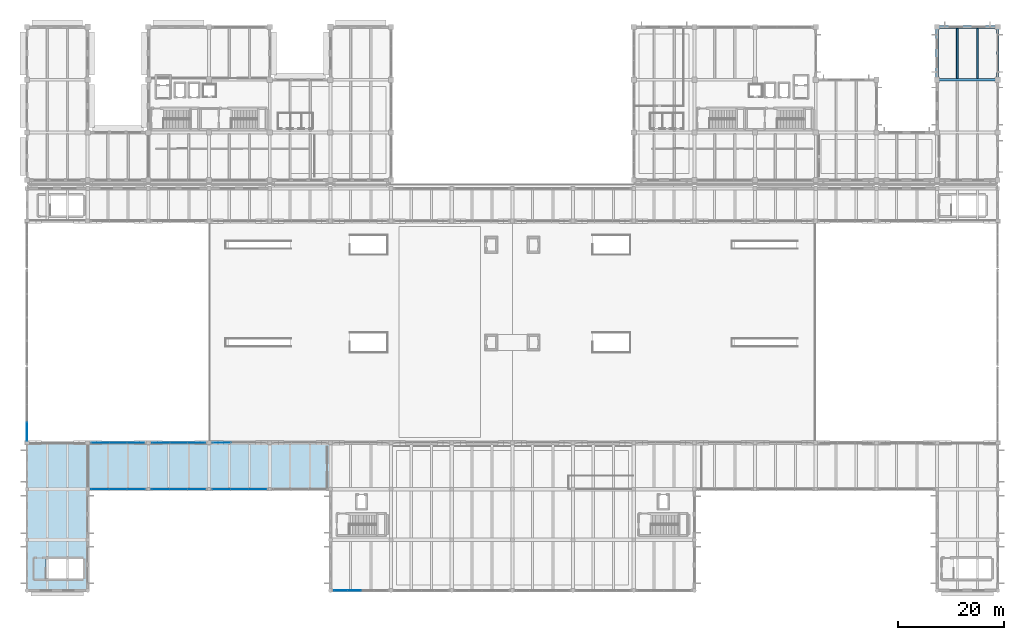
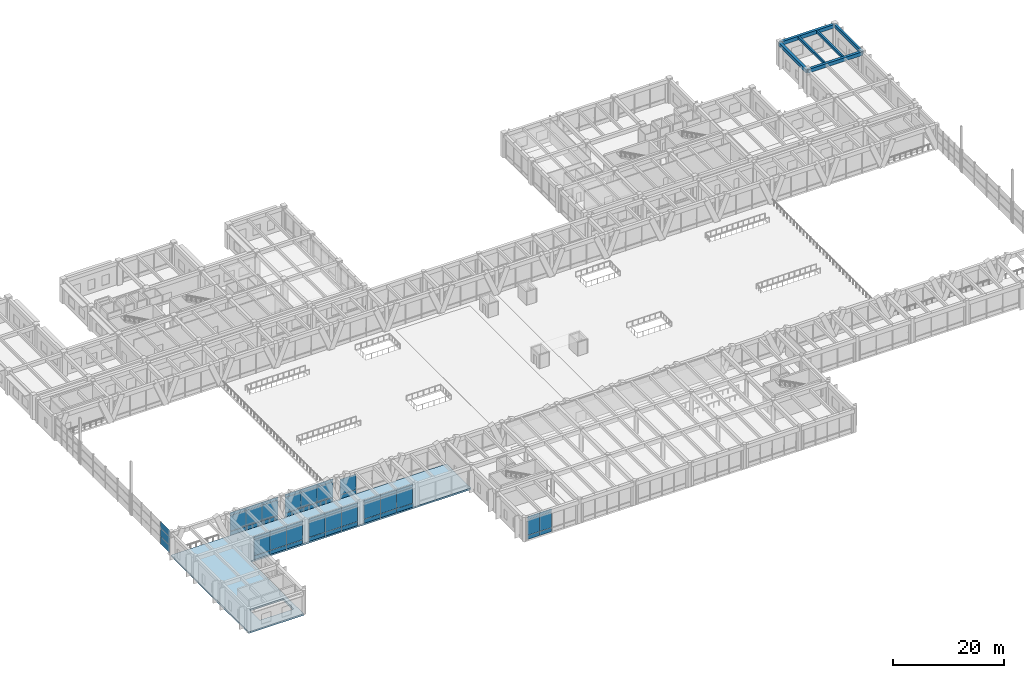
# One storey, part 113 of 148: 56 plates, 6 beams, 1 slab, 8 elements without a shape of their own.
"""IFC4 building model written with IfcOpenShell, lengths in metres."""

from ifc_helpers import new_model, si_unit, direction, frame, origin, origin_2d, place, context, subcontext, project, spatial, polyline, rectangle, outline, extrude, material, layer, layer_set, material_profile, profile_set, type_object, element, aggregate, save


model = new_model("IFC4")

# Units and contexts
model_context = context("Model", 3, precision=1e-05, world=origin(), true_north=direction((0.0, 1.0)))
body_context = subcontext(model_context, "Body", "Model", "MODEL_VIEW")
ifc_project = project(units=[si_unit("LENGTHUNIT", "METRE"), si_unit("AREAUNIT", "SQUARE_METRE"), si_unit("VOLUMEUNIT", "CUBIC_METRE"), si_unit("PLANEANGLEUNIT", "RADIAN"), si_unit("MASSUNIT", "GRAM", prefix="KILO")], contexts=[model_context])

# Site, building, storey
site_placement = place(None, origin())
site = spatial("IfcSite", under=ifc_project, at=site_placement, CompositionType="ELEMENT")
building_placement = place(site_placement, origin())
building = spatial("IfcBuilding", under=site, at=building_placement, Name="Ologun Quay Terminus", CompositionType="ELEMENT")
storey_placement = place(building_placement, frame((0.0, 0.0, 8.39990234375)))
storey = spatial("IfcBuildingStorey", under=building, at=storey_placement, Name="L02", CompositionType="ELEMENT", Elevation=8.39990234375)

# Beams
ifc_material_1 = material(Name="Concrete C40/50", Category="concrete")
ifc_material_profile_1 = material_profile(ifc_material_1, rectangle(XDim=0.550048828125, YDim=0.800048828125, at=origin_2d()), Name="RC 550x800")
ifc_profile_set_1 = profile_set([ifc_material_profile_1], Name="Concrete C40/50")
beam_type_1 = type_object("IfcBeamType", Name="Courtyard Wing Primary Girder 550x800", PredefinedType="BEAM", material=ifc_profile_set_1)
for number, where, z_axis, x_axis, name in (
    (1, (172.5, 104.800048828125, 4.75), (1.0, 0.0, 0.0), (0.0, 1.0, 0.0), "B4 Beam 16/J L02"),
    (2, (172.5, 114.800048828125, 4.75), (1.0, 0.0, 0.0), (0.0, 1.0, 0.0), "B4 Beam 16/K L02"),
):
    element("IfcBeam", number, at=place(storey_placement, frame(where, z_axis=z_axis, x_axis=x_axis)), inside=storey, type_object=beam_type_1, Name=name, PredefinedType="BEAM", context=body_context, shape_type="SweptSolid", body=[
        extrude(rectangle(XDim=0.550048828125, YDim=0.800048828125, at=origin_2d()), origin(), (0.0, 0.0, 1.0), 11.5),
    ])
beam_1_placement = place(storey_placement, frame((172.5, 104.800048828125, 4.75), z_axis=(0.0, 1.0, 0.0), x_axis=(-1.0, 0.0, 0.0)))
element("IfcBeam", 3, at=beam_1_placement, inside=storey, type_object=beam_type_1, Name="B4 Beam 16/J L02", PredefinedType="BEAM", context=body_context, shape_type="SweptSolid", body=[
    extrude(rectangle(XDim=0.550048828125, YDim=0.800048828125, at=origin_2d()), origin(), (0.0, 0.0, 1.0), 10.0),
])
ifc_material_2 = material(Name="Concrete C40/50", Category="concrete")
ifc_material_profile_2 = material_profile(ifc_material_2, rectangle(XDim=0.35009765625, YDim=0.550048828125, at=origin_2d()), Name="RC 350x550")
ifc_profile_set_2 = profile_set([ifc_material_profile_2], Name="Concrete C40/50")
beam_type_2 = type_object("IfcBeamType", Name="Courtyard Wing Secondary Joist 350x550", PredefinedType="JOIST", material=ifc_profile_set_2)
for number, where, z_axis, x_axis, name in (
    (4, (176.333251953125, 105.074951171875, 4.875), (0.0, 1.0, 0.0), (-1.0, 0.0, 0.0), "J2 Beam 16/J L02"),
    (5, (180.166748046875, 105.074951171875, 4.875), (0.0, 1.0, 0.0), (-1.0, 0.0, 0.0), "J2 Beam 16/J L02"),
):
    element("IfcBeam", number, at=place(storey_placement, frame(where, z_axis=z_axis, x_axis=x_axis)), inside=storey, type_object=beam_type_2, Name=name, PredefinedType="JOIST", context=body_context, shape_type="SweptSolid", body=[
        extrude(rectangle(XDim=0.35009765625, YDim=0.550048828125, at=origin_2d()), origin(), (0.0, 0.0, 1.0), 9.449951171875),
    ])
ifc_material_3 = material(Name="Concrete C40/50", Category="concrete")
ifc_material_profile_3 = material_profile(ifc_material_3, rectangle(XDim=0.449951171875, YDim=0.699951171875, at=origin_2d()), Name="RC 450x700")
ifc_profile_set_3 = profile_set([ifc_material_profile_3], Name="Concrete C40/50")
beam_type_3 = type_object("IfcBeamType", Name="Perimeter Spandrel Beam 450x700", PredefinedType="SPANDREL", material=ifc_profile_set_3)
beam_2_placement = place(storey_placement, frame((184.0, 104.800048828125, 4.800048828125), z_axis=(0.0, 1.0, 0.0), x_axis=(-1.0, 0.0, 0.0)))
element("IfcBeam", 6, at=beam_2_placement, inside=storey, type_object=beam_type_3, Name="SP1 Beam 17/J L02", PredefinedType="SPANDREL", context=body_context, shape_type="SweptSolid", body=[
    extrude(rectangle(XDim=0.449951171875, YDim=0.699951171875, at=origin_2d()), origin(), (0.0, 0.0, 1.0), 10.0),
])

# Curtain wall, plates
ifc_material_4 = material(Name="Aluminium 6063-T6", Category="aluminium")
curtain_wall_type_1 = type_object("IfcCurtainWallType", Name="Concourse Departure Curtain Wall 10700x4950", PredefinedType="USERDEFINED", material=ifc_material_4)
curtain_wall_1_placement = place(storey_placement, origin())
curtain_wall_1 = element("IfcCurtainWall", 7, at=curtain_wall_1_placement, inside=storey, type_object=curtain_wall_type_1, Name="CW-05 Curtain Wall CW-L02-024", ObjectType="UNITISED CURTAIN WALL", PredefinedType="USERDEFINED")
ifc_material_5 = material(Name="Glass", Category="glass")
ifc_layer_1 = layer(ifc_material_5, 0.031982421875)
ifc_layer_set_1 = layer_set([ifc_layer_1], Name="Glass")
plate_type_1 = type_object("IfcPlateType", Name="Acoustic Low-E Laminated Glazed Panel 32", PredefinedType="CURTAIN_PANEL", material=ifc_layer_set_1)
plate_1_placement = place(storey_placement, frame((59.496337890625, 8.0, 0.93017578125), z_axis=(0.0, 0.0, 1.0), x_axis=(1.0, 0.0, 0.0)))
plate_1 = element("IfcPlate", 8, at=plate_1_placement, type_object=plate_type_1, Name="CW-L02-024 Panel B1-2", PredefinedType="CURTAIN_PANEL", context=body_context, shape_type="SweptSolid", body=[
    extrude(rectangle(XDim=2.50244140625, YDim=0.031982421875, at=origin_2d()), origin(), (0.0, 0.0, 1.0), 3.47998046875),
])
plate_2_placement = place(storey_placement, frame((59.496337890625, 8.0, 4.47021484375), z_axis=(0.0, 0.0, 1.0), x_axis=(1.0, 0.0, 0.0)))
plate_2 = element("IfcPlate", 9, at=plate_2_placement, type_object=plate_type_1, Name="CW-L02-024 Panel B1-3", PredefinedType="CURTAIN_PANEL", context=body_context, shape_type="SweptSolid", body=[
    extrude(rectangle(XDim=2.50244140625, YDim=0.031982421875, at=origin_2d()), origin(), (0.0, 0.0, 1.0), 0.639892578125),
])
plate_3_placement = place(storey_placement, frame((61.998779296875, 8.0, 0.93017578125), z_axis=(0.0, 0.0, 1.0), x_axis=(1.0, 0.0, 0.0)))
plate_3 = element("IfcPlate", 10, at=plate_3_placement, type_object=plate_type_1, Name="CW-L02-024 Panel B2-2", PredefinedType="CURTAIN_PANEL", context=body_context, shape_type="SweptSolid", body=[
    extrude(rectangle(XDim=2.50244140625, YDim=0.031982421875, at=origin_2d()), origin(), (0.0, 0.0, 1.0), 3.47998046875),
])
plate_4_placement = place(storey_placement, frame((61.998779296875, 8.0, 4.47021484375), z_axis=(0.0, 0.0, 1.0), x_axis=(1.0, 0.0, 0.0)))
plate_4 = element("IfcPlate", 11, at=plate_4_placement, type_object=plate_type_1, Name="CW-L02-024 Panel B2-3", PredefinedType="CURTAIN_PANEL", context=body_context, shape_type="SweptSolid", body=[
    extrude(rectangle(XDim=2.50244140625, YDim=0.031982421875, at=origin_2d()), origin(), (0.0, 0.0, 1.0), 0.639892578125),
])

ifc_material_6 = material(Name="Aluminium 6063-T6", Category="aluminium")
curtain_wall_type_2 = type_object("IfcCurtainWallType", Name="Train Shed Gable Arch Screen 13500x4900", PredefinedType="USERDEFINED", material=ifc_material_6)
curtain_wall_2_placement = place(storey_placement, origin())
curtain_wall_2 = element("IfcCurtainWall", 12, at=curtain_wall_2_placement, inside=storey, type_object=curtain_wall_type_2, Name="CW-10 Curtain Wall CW-GBL-W1", ObjectType="UNITISED CURTAIN WALL", PredefinedType="USERDEFINED")
plate_5_placement = place(storey_placement, frame((0.0, 38.112548828125, 0.170166015625), z_axis=(0.0, 0.0, 1.0), x_axis=(0.0, 1.0, 0.0)))
plate_5 = element("IfcPlate", 13, at=plate_5_placement, type_object=plate_type_1, Name="CW-GBL-W1 Panel B1-1", PredefinedType="CURTAIN_PANEL", context=body_context, shape_type="SweptSolid", body=[
    extrude(rectangle(XDim=3.425048828125, YDim=0.031982421875, at=origin_2d()), origin(), (0.0, 0.0, 1.0), 1.60009765625),
])
plate_6_placement = place(storey_placement, frame((0.0, 38.112548828125, 1.830078125), z_axis=(0.0, 0.0, 1.0), x_axis=(0.0, 1.0, 0.0)))
plate_6 = element("IfcPlate", 14, at=plate_6_placement, type_object=plate_type_1, Name="CW-GBL-W1 Panel B1-2", PredefinedType="CURTAIN_PANEL", context=body_context, shape_type="SweptSolid", body=[
    extrude(rectangle(XDim=3.425048828125, YDim=0.031982421875, at=origin_2d()), origin(), (0.0, 0.0, 1.0), 1.840087890625),
])
plate_7_placement = place(storey_placement, frame((0.0, 38.112548828125, 3.72998046875), z_axis=(0.0, 0.0, 1.0), x_axis=(0.0, 1.0, 0.0)))
plate_7 = element("IfcPlate", 15, at=plate_7_placement, type_object=plate_type_1, Name="CW-GBL-W1 Panel B1-3", PredefinedType="CURTAIN_PANEL", context=body_context, shape_type="SweptSolid", body=[
    extrude(rectangle(XDim=3.425048828125, YDim=0.031982421875, at=origin_2d()), origin(), (0.0, 0.0, 1.0), 1.340087890625),
])
aggregate(curtain_wall_2, [plate_5, plate_6, plate_7])

# Slab
ifc_material_7 = material(Name="Concrete C40/50", Category="concrete")
ifc_layer_2 = layer(ifc_material_7, 0.35009765625)
ifc_layer_set_2 = layer_set([ifc_layer_2], Name="Concrete C40/50")
slab_type = type_object("IfcSlabType", Name="Elevated Concourse Deck Slab 350", PredefinedType="FLOOR", material=ifc_layer_set_2)
slab_placement = place(storey_placement, frame((0.0, 0.0, -0.349853515625)))
element("IfcSlab", 16, at=slab_placement, inside=storey, type_object=slab_type, Name="SL-CON South Concourse Slab 1", PredefinedType="FLOOR", context=body_context, shape_type="SweptSolid", body=[
    extrude(outline(polyline([(0.0, 8.0), (11.5, 8.0), (11.5, 27.199951171875), (57.5, 27.199951171875), (57.5, 36.0), (0.0, 36.0), (0.0, 8.0)]), holes=[polyline([(3.6298828125, 10.199951171875), (3.6298828125, 14.0), (10.64990234375, 14.0), (10.64990234375, 10.199951171875), (3.6298828125, 10.199951171875)])]), origin(), (0.0, 0.0, 1.0), 0.349853515625),
])

# Curtain wall, plates
curtain_wall_3_placement = place(storey_placement, origin())
curtain_wall_3 = element("IfcCurtainWall", 17, at=curtain_wall_3_placement, inside=storey, type_object=curtain_wall_type_1, Name="CW-05 Curtain Wall CW-L02-020", ObjectType="UNITISED CURTAIN WALL", PredefinedType="USERDEFINED")
ifc_material_8 = material(Name="Aluminium 6063-T6", Category="aluminium")
ifc_layer_3 = layer(ifc_material_8, 0.050048828125)
ifc_layer_set_3 = layer_set([ifc_layer_3], Name="Aluminium 6063-T6")
plate_type_2 = type_object("IfcPlateType", Name="Insulated Aluminium Shadow-Box Spandrel 50", PredefinedType="CURTAIN_PANEL", material=ifc_layer_set_3)
plate_8_placement = place(storey_placement, frame((13.86328125, 27.199951171875, 0.0302734375), z_axis=(0.0, 0.0, 1.0), x_axis=(1.0, 0.0, 0.0)))
plate_8 = element("IfcPlate", 18, at=plate_8_placement, type_object=plate_type_2, Name="CW-L02-020 Panel B1-1", PredefinedType="CURTAIN_PANEL", context=body_context, shape_type="SweptSolid", body=[
    extrude(rectangle(XDim=3.38671875, YDim=0.050048828125, at=origin_2d()), origin(), (0.0, 0.0, 1.0), 0.840087890625),
])
plate_9_placement = place(storey_placement, frame((17.25, 27.199951171875, 0.0302734375), z_axis=(0.0, 0.0, 1.0), x_axis=(1.0, 0.0, 0.0)))
plate_9 = element("IfcPlate", 19, at=plate_9_placement, type_object=plate_type_2, Name="CW-L02-020 Panel B2-1", PredefinedType="CURTAIN_PANEL", context=body_context, shape_type="SweptSolid", body=[
    extrude(rectangle(XDim=3.38671875, YDim=0.050048828125, at=origin_2d()), origin(), (0.0, 0.0, 1.0), 0.840087890625),
])
plate_10_placement = place(storey_placement, frame((20.63671875, 27.199951171875, 0.0302734375), z_axis=(0.0, 0.0, 1.0), x_axis=(1.0, 0.0, 0.0)))
plate_10 = element("IfcPlate", 20, at=plate_10_placement, type_object=plate_type_2, Name="CW-L02-020 Panel B3-1", PredefinedType="CURTAIN_PANEL", context=body_context, shape_type="SweptSolid", body=[
    extrude(rectangle(XDim=3.38671875, YDim=0.050048828125, at=origin_2d()), origin(), (0.0, 0.0, 1.0), 0.840087890625),
])

curtain_wall_4_placement = place(storey_placement, origin())
curtain_wall_4 = element("IfcCurtainWall", 21, at=curtain_wall_4_placement, inside=storey, type_object=curtain_wall_type_1, Name="CW-05 Curtain Wall CW-L02-021", ObjectType="UNITISED CURTAIN WALL", PredefinedType="USERDEFINED")
plate_11_placement = place(storey_placement, frame((25.36328125, 27.199951171875, 0.0302734375), z_axis=(0.0, 0.0, 1.0), x_axis=(1.0, 0.0, 0.0)))
plate_11 = element("IfcPlate", 22, at=plate_11_placement, type_object=plate_type_2, Name="CW-L02-021 Panel B1-1", PredefinedType="CURTAIN_PANEL", context=body_context, shape_type="SweptSolid", body=[
    extrude(rectangle(XDim=3.38671875, YDim=0.050048828125, at=origin_2d()), origin(), (0.0, 0.0, 1.0), 0.840087890625),
])
plate_12_placement = place(storey_placement, frame((28.75, 27.199951171875, 0.0302734375), z_axis=(0.0, 0.0, 1.0), x_axis=(1.0, 0.0, 0.0)))
plate_12 = element("IfcPlate", 23, at=plate_12_placement, type_object=plate_type_2, Name="CW-L02-021 Panel B2-1", PredefinedType="CURTAIN_PANEL", context=body_context, shape_type="SweptSolid", body=[
    extrude(rectangle(XDim=3.38671875, YDim=0.050048828125, at=origin_2d()), origin(), (0.0, 0.0, 1.0), 0.840087890625),
])
plate_13_placement = place(storey_placement, frame((32.13671875, 27.199951171875, 0.0302734375), z_axis=(0.0, 0.0, 1.0), x_axis=(1.0, 0.0, 0.0)))
plate_13 = element("IfcPlate", 24, at=plate_13_placement, type_object=plate_type_2, Name="CW-L02-021 Panel B3-1", PredefinedType="CURTAIN_PANEL", context=body_context, shape_type="SweptSolid", body=[
    extrude(rectangle(XDim=3.38671875, YDim=0.050048828125, at=origin_2d()), origin(), (0.0, 0.0, 1.0), 0.840087890625),
])

curtain_wall_5_placement = place(storey_placement, origin())
curtain_wall_5 = element("IfcCurtainWall", 25, at=curtain_wall_5_placement, inside=storey, type_object=curtain_wall_type_1, Name="CW-05 Curtain Wall CW-L02-022", ObjectType="UNITISED CURTAIN WALL", PredefinedType="USERDEFINED")
plate_14_placement = place(storey_placement, frame((36.86328125, 27.199951171875, 0.0302734375), z_axis=(0.0, 0.0, 1.0), x_axis=(1.0, 0.0, 0.0)))
plate_14 = element("IfcPlate", 26, at=plate_14_placement, type_object=plate_type_2, Name="CW-L02-022 Panel B1-1", PredefinedType="CURTAIN_PANEL", context=body_context, shape_type="SweptSolid", body=[
    extrude(rectangle(XDim=3.38671875, YDim=0.050048828125, at=origin_2d()), origin(), (0.0, 0.0, 1.0), 0.840087890625),
])
plate_15_placement = place(storey_placement, frame((40.25, 27.199951171875, 0.0302734375), z_axis=(0.0, 0.0, 1.0), x_axis=(1.0, 0.0, 0.0)))
plate_15 = element("IfcPlate", 27, at=plate_15_placement, type_object=plate_type_2, Name="CW-L02-022 Panel B2-1", PredefinedType="CURTAIN_PANEL", context=body_context, shape_type="SweptSolid", body=[
    extrude(rectangle(XDim=3.38671875, YDim=0.050048828125, at=origin_2d()), origin(), (0.0, 0.0, 1.0), 0.840087890625),
])
plate_16_placement = place(storey_placement, frame((43.63671875, 27.199951171875, 0.0302734375), z_axis=(0.0, 0.0, 1.0), x_axis=(1.0, 0.0, 0.0)))
plate_16 = element("IfcPlate", 28, at=plate_16_placement, type_object=plate_type_2, Name="CW-L02-022 Panel B3-1", PredefinedType="CURTAIN_PANEL", context=body_context, shape_type="SweptSolid", body=[
    extrude(rectangle(XDim=3.38671875, YDim=0.050048828125, at=origin_2d()), origin(), (0.0, 0.0, 1.0), 0.840087890625),
])

# Plate
plate_17_placement = place(storey_placement, frame((59.496337890625, 8.0, 0.0302734375), z_axis=(0.0, 0.0, 1.0), x_axis=(1.0, 0.0, 0.0)))
plate_17 = element("IfcPlate", 29, at=plate_17_placement, type_object=plate_type_2, Name="CW-L02-024 Panel B1-1", PredefinedType="CURTAIN_PANEL", context=body_context, shape_type="SweptSolid", body=[
    extrude(rectangle(XDim=2.50244140625, YDim=0.050048828125, at=origin_2d()), origin(), (0.0, 0.0, 1.0), 0.840087890625),
])

plate_18_placement = place(storey_placement, frame((61.998779296875, 8.0, 0.0302734375), z_axis=(0.0, 0.0, 1.0), x_axis=(1.0, 0.0, 0.0)))
plate_18 = element("IfcPlate", 30, at=plate_18_placement, type_object=plate_type_2, Name="CW-L02-024 Panel B2-1", PredefinedType="CURTAIN_PANEL", context=body_context, shape_type="SweptSolid", body=[
    extrude(rectangle(XDim=2.50244140625, YDim=0.050048828125, at=origin_2d()), origin(), (0.0, 0.0, 1.0), 0.840087890625),
])

aggregate(curtain_wall_1, [plate_17, plate_1, plate_2, plate_18, plate_3, plate_4])

# Curtain wall, plates
ifc_material_9 = material(Name="Aluminium 6063-T6", Category="aluminium")
curtain_wall_type_3 = type_object("IfcCurtainWallType", Name="Train Shed South Clerestory Curtain Wall 10700x5050", PredefinedType="USERDEFINED", material=ifc_material_9)
curtain_wall_6_placement = place(storey_placement, origin())
curtain_wall_6 = element("IfcCurtainWall", 31, at=curtain_wall_6_placement, inside=storey, type_object=curtain_wall_type_3, Name="CW-08 Curtain Wall CW-L02-046", ObjectType="UNITISED CURTAIN WALL", PredefinedType="USERDEFINED")
plate_19_placement = place(storey_placement, frame((13.913330078125, 36.0, 0.0302734375), z_axis=(0.0, 0.0, 1.0), x_axis=(1.0, 0.0, 0.0)))
plate_19 = element("IfcPlate", 32, at=plate_19_placement, type_object=plate_type_2, Name="CW-L02-046 Panel B1-1", PredefinedType="CURTAIN_PANEL", context=body_context, shape_type="SweptSolid", body=[
    extrude(rectangle(XDim=3.336669921875, YDim=0.050048828125, at=origin_2d()), origin(), (0.0, 0.0, 1.0), 0.840087890625),
])
plate_20_placement = place(storey_placement, frame((17.25, 36.0, 0.0302734375), z_axis=(0.0, 0.0, 1.0), x_axis=(1.0, 0.0, 0.0)))
plate_20 = element("IfcPlate", 33, at=plate_20_placement, type_object=plate_type_2, Name="CW-L02-046 Panel B2-1", PredefinedType="CURTAIN_PANEL", context=body_context, shape_type="SweptSolid", body=[
    extrude(rectangle(XDim=3.336669921875, YDim=0.050048828125, at=origin_2d()), origin(), (0.0, 0.0, 1.0), 0.840087890625),
])
plate_21_placement = place(storey_placement, frame((20.586669921875, 36.0, 0.0302734375), z_axis=(0.0, 0.0, 1.0), x_axis=(1.0, 0.0, 0.0)))
plate_21 = element("IfcPlate", 34, at=plate_21_placement, type_object=plate_type_2, Name="CW-L02-046 Panel B3-1", PredefinedType="CURTAIN_PANEL", context=body_context, shape_type="SweptSolid", body=[
    extrude(rectangle(XDim=3.336669921875, YDim=0.050048828125, at=origin_2d()), origin(), (0.0, 0.0, 1.0), 0.840087890625),
])

curtain_wall_7_placement = place(storey_placement, origin())
curtain_wall_7 = element("IfcCurtainWall", 35, at=curtain_wall_7_placement, inside=storey, type_object=curtain_wall_type_3, Name="CW-08 Curtain Wall CW-L02-048", ObjectType="UNITISED CURTAIN WALL", PredefinedType="USERDEFINED")
plate_22_placement = place(storey_placement, frame((25.413330078125, 36.0, 0.0302734375), z_axis=(0.0, 0.0, 1.0), x_axis=(1.0, 0.0, 0.0)))
plate_22 = element("IfcPlate", 36, at=plate_22_placement, type_object=plate_type_2, Name="CW-L02-048 Panel B1-1", PredefinedType="CURTAIN_PANEL", context=body_context, shape_type="SweptSolid", body=[
    extrude(rectangle(XDim=3.336669921875, YDim=0.050048828125, at=origin_2d()), origin(), (0.0, 0.0, 1.0), 0.840087890625),
])
plate_23_placement = place(storey_placement, frame((28.75, 36.0, 0.0302734375), z_axis=(0.0, 0.0, 1.0), x_axis=(1.0, 0.0, 0.0)))
plate_23 = element("IfcPlate", 37, at=plate_23_placement, type_object=plate_type_2, Name="CW-L02-048 Panel B2-1", PredefinedType="CURTAIN_PANEL", context=body_context, shape_type="SweptSolid", body=[
    extrude(rectangle(XDim=3.336669921875, YDim=0.050048828125, at=origin_2d()), origin(), (0.0, 0.0, 1.0), 0.840087890625),
])
plate_24_placement = place(storey_placement, frame((32.086669921875, 36.0, 0.0302734375), z_axis=(0.0, 0.0, 1.0), x_axis=(1.0, 0.0, 0.0)))
plate_24 = element("IfcPlate", 38, at=plate_24_placement, type_object=plate_type_2, Name="CW-L02-048 Panel B3-1", PredefinedType="CURTAIN_PANEL", context=body_context, shape_type="SweptSolid", body=[
    extrude(rectangle(XDim=3.336669921875, YDim=0.050048828125, at=origin_2d()), origin(), (0.0, 0.0, 1.0), 0.840087890625),
])

# Curtain wall, plate
curtain_wall_8_placement = place(storey_placement, origin())
curtain_wall_8 = element("IfcCurtainWall", 39, at=curtain_wall_8_placement, inside=storey, type_object=curtain_wall_type_3, Name="CW-08 Curtain Wall CW-L02-050", ObjectType="UNITISED CURTAIN WALL", PredefinedType="USERDEFINED")
plate_25_placement = place(storey_placement, frame((36.913330078125, 36.0, 0.0302734375), z_axis=(0.0, 0.0, 1.0), x_axis=(1.0, 0.0, 0.0)))
plate_25 = element("IfcPlate", 40, at=plate_25_placement, type_object=plate_type_2, Name="CW-L02-050 Panel B1-1", PredefinedType="CURTAIN_PANEL", context=body_context, shape_type="SweptSolid", body=[
    extrude(rectangle(XDim=3.336669921875, YDim=0.050048828125, at=origin_2d()), origin(), (0.0, 0.0, 1.0), 0.840087890625),
])

# Plate
ifc_material_10 = material(Name="Glass", Category="glass")
ifc_layer_4 = layer(ifc_material_10, 0.028076171875)
ifc_layer_set_4 = layer_set([ifc_layer_4], Name="Glass")
plate_type_3 = type_object("IfcPlateType", Name="Solar-Control Double Glazed Panel 28", PredefinedType="CURTAIN_PANEL", material=ifc_layer_set_4)
plate_26_placement = place(storey_placement, frame((13.86328125, 27.199951171875, 0.93017578125), z_axis=(0.0, 0.0, 1.0), x_axis=(1.0, 0.0, 0.0)))
plate_26 = element("IfcPlate", 41, at=plate_26_placement, type_object=plate_type_3, Name="CW-L02-020 Panel B1-2", PredefinedType="CURTAIN_PANEL", context=body_context, shape_type="SweptSolid", body=[
    extrude(rectangle(XDim=3.38671875, YDim=0.028076171875, at=origin_2d()), origin(), (0.0, 0.0, 1.0), 3.47998046875),
])

plate_27_placement = place(storey_placement, frame((13.86328125, 27.199951171875, 4.47021484375), z_axis=(0.0, 0.0, 1.0), x_axis=(1.0, 0.0, 0.0)))
plate_27 = element("IfcPlate", 42, at=plate_27_placement, type_object=plate_type_3, Name="CW-L02-020 Panel B1-3", PredefinedType="CURTAIN_PANEL", context=body_context, shape_type="SweptSolid", body=[
    extrude(rectangle(XDim=3.38671875, YDim=0.028076171875, at=origin_2d()), origin(), (0.0, 0.0, 1.0), 0.639892578125),
])

plate_28_placement = place(storey_placement, frame((17.25, 27.199951171875, 0.93017578125), z_axis=(0.0, 0.0, 1.0), x_axis=(1.0, 0.0, 0.0)))
plate_28 = element("IfcPlate", 43, at=plate_28_placement, type_object=plate_type_3, Name="CW-L02-020 Panel B2-2", PredefinedType="CURTAIN_PANEL", context=body_context, shape_type="SweptSolid", body=[
    extrude(rectangle(XDim=3.38671875, YDim=0.028076171875, at=origin_2d()), origin(), (0.0, 0.0, 1.0), 3.47998046875),
])

plate_29_placement = place(storey_placement, frame((17.25, 27.199951171875, 4.47021484375), z_axis=(0.0, 0.0, 1.0), x_axis=(1.0, 0.0, 0.0)))
plate_29 = element("IfcPlate", 44, at=plate_29_placement, type_object=plate_type_3, Name="CW-L02-020 Panel B2-3", PredefinedType="CURTAIN_PANEL", context=body_context, shape_type="SweptSolid", body=[
    extrude(rectangle(XDim=3.38671875, YDim=0.028076171875, at=origin_2d()), origin(), (0.0, 0.0, 1.0), 0.639892578125),
])

plate_30_placement = place(storey_placement, frame((20.63671875, 27.199951171875, 0.93017578125), z_axis=(0.0, 0.0, 1.0), x_axis=(1.0, 0.0, 0.0)))
plate_30 = element("IfcPlate", 45, at=plate_30_placement, type_object=plate_type_3, Name="CW-L02-020 Panel B3-2", PredefinedType="CURTAIN_PANEL", context=body_context, shape_type="SweptSolid", body=[
    extrude(rectangle(XDim=3.38671875, YDim=0.028076171875, at=origin_2d()), origin(), (0.0, 0.0, 1.0), 3.47998046875),
])

plate_31_placement = place(storey_placement, frame((20.63671875, 27.199951171875, 4.47021484375), z_axis=(0.0, 0.0, 1.0), x_axis=(1.0, 0.0, 0.0)))
plate_31 = element("IfcPlate", 46, at=plate_31_placement, type_object=plate_type_3, Name="CW-L02-020 Panel B3-3", PredefinedType="CURTAIN_PANEL", context=body_context, shape_type="SweptSolid", body=[
    extrude(rectangle(XDim=3.38671875, YDim=0.028076171875, at=origin_2d()), origin(), (0.0, 0.0, 1.0), 0.639892578125),
])

aggregate(curtain_wall_3, [plate_8, plate_26, plate_27, plate_9, plate_28, plate_29, plate_10, plate_30, plate_31])

plate_32_placement = place(storey_placement, frame((25.36328125, 27.199951171875, 0.93017578125), z_axis=(0.0, 0.0, 1.0), x_axis=(1.0, 0.0, 0.0)))
plate_32 = element("IfcPlate", 47, at=plate_32_placement, type_object=plate_type_3, Name="CW-L02-021 Panel B1-2", PredefinedType="CURTAIN_PANEL", context=body_context, shape_type="SweptSolid", body=[
    extrude(rectangle(XDim=3.38671875, YDim=0.028076171875, at=origin_2d()), origin(), (0.0, 0.0, 1.0), 3.47998046875),
])

plate_33_placement = place(storey_placement, frame((25.36328125, 27.199951171875, 4.47021484375), z_axis=(0.0, 0.0, 1.0), x_axis=(1.0, 0.0, 0.0)))
plate_33 = element("IfcPlate", 48, at=plate_33_placement, type_object=plate_type_3, Name="CW-L02-021 Panel B1-3", PredefinedType="CURTAIN_PANEL", context=body_context, shape_type="SweptSolid", body=[
    extrude(rectangle(XDim=3.38671875, YDim=0.028076171875, at=origin_2d()), origin(), (0.0, 0.0, 1.0), 0.639892578125),
])

plate_34_placement = place(storey_placement, frame((28.75, 27.199951171875, 0.93017578125), z_axis=(0.0, 0.0, 1.0), x_axis=(1.0, 0.0, 0.0)))
plate_34 = element("IfcPlate", 49, at=plate_34_placement, type_object=plate_type_3, Name="CW-L02-021 Panel B2-2", PredefinedType="CURTAIN_PANEL", context=body_context, shape_type="SweptSolid", body=[
    extrude(rectangle(XDim=3.38671875, YDim=0.028076171875, at=origin_2d()), origin(), (0.0, 0.0, 1.0), 3.47998046875),
])

plate_35_placement = place(storey_placement, frame((28.75, 27.199951171875, 4.47021484375), z_axis=(0.0, 0.0, 1.0), x_axis=(1.0, 0.0, 0.0)))
plate_35 = element("IfcPlate", 50, at=plate_35_placement, type_object=plate_type_3, Name="CW-L02-021 Panel B2-3", PredefinedType="CURTAIN_PANEL", context=body_context, shape_type="SweptSolid", body=[
    extrude(rectangle(XDim=3.38671875, YDim=0.028076171875, at=origin_2d()), origin(), (0.0, 0.0, 1.0), 0.639892578125),
])

plate_36_placement = place(storey_placement, frame((32.13671875, 27.199951171875, 0.93017578125), z_axis=(0.0, 0.0, 1.0), x_axis=(1.0, 0.0, 0.0)))
plate_36 = element("IfcPlate", 51, at=plate_36_placement, type_object=plate_type_3, Name="CW-L02-021 Panel B3-2", PredefinedType="CURTAIN_PANEL", context=body_context, shape_type="SweptSolid", body=[
    extrude(rectangle(XDim=3.38671875, YDim=0.028076171875, at=origin_2d()), origin(), (0.0, 0.0, 1.0), 3.47998046875),
])

plate_37_placement = place(storey_placement, frame((32.13671875, 27.199951171875, 4.47021484375), z_axis=(0.0, 0.0, 1.0), x_axis=(1.0, 0.0, 0.0)))
plate_37 = element("IfcPlate", 52, at=plate_37_placement, type_object=plate_type_3, Name="CW-L02-021 Panel B3-3", PredefinedType="CURTAIN_PANEL", context=body_context, shape_type="SweptSolid", body=[
    extrude(rectangle(XDim=3.38671875, YDim=0.028076171875, at=origin_2d()), origin(), (0.0, 0.0, 1.0), 0.639892578125),
])

aggregate(curtain_wall_4, [plate_11, plate_32, plate_33, plate_12, plate_34, plate_35, plate_13, plate_36, plate_37])

plate_38_placement = place(storey_placement, frame((36.86328125, 27.199951171875, 0.93017578125), z_axis=(0.0, 0.0, 1.0), x_axis=(1.0, 0.0, 0.0)))
plate_38 = element("IfcPlate", 53, at=plate_38_placement, type_object=plate_type_3, Name="CW-L02-022 Panel B1-2", PredefinedType="CURTAIN_PANEL", context=body_context, shape_type="SweptSolid", body=[
    extrude(rectangle(XDim=3.38671875, YDim=0.028076171875, at=origin_2d()), origin(), (0.0, 0.0, 1.0), 3.47998046875),
])

plate_39_placement = place(storey_placement, frame((36.86328125, 27.199951171875, 4.47021484375), z_axis=(0.0, 0.0, 1.0), x_axis=(1.0, 0.0, 0.0)))
plate_39 = element("IfcPlate", 54, at=plate_39_placement, type_object=plate_type_3, Name="CW-L02-022 Panel B1-3", PredefinedType="CURTAIN_PANEL", context=body_context, shape_type="SweptSolid", body=[
    extrude(rectangle(XDim=3.38671875, YDim=0.028076171875, at=origin_2d()), origin(), (0.0, 0.0, 1.0), 0.639892578125),
])

plate_40_placement = place(storey_placement, frame((40.25, 27.199951171875, 0.93017578125), z_axis=(0.0, 0.0, 1.0), x_axis=(1.0, 0.0, 0.0)))
plate_40 = element("IfcPlate", 55, at=plate_40_placement, type_object=plate_type_3, Name="CW-L02-022 Panel B2-2", PredefinedType="CURTAIN_PANEL", context=body_context, shape_type="SweptSolid", body=[
    extrude(rectangle(XDim=3.38671875, YDim=0.028076171875, at=origin_2d()), origin(), (0.0, 0.0, 1.0), 3.47998046875),
])

plate_41_placement = place(storey_placement, frame((40.25, 27.199951171875, 4.47021484375), z_axis=(0.0, 0.0, 1.0), x_axis=(1.0, 0.0, 0.0)))
plate_41 = element("IfcPlate", 56, at=plate_41_placement, type_object=plate_type_3, Name="CW-L02-022 Panel B2-3", PredefinedType="CURTAIN_PANEL", context=body_context, shape_type="SweptSolid", body=[
    extrude(rectangle(XDim=3.38671875, YDim=0.028076171875, at=origin_2d()), origin(), (0.0, 0.0, 1.0), 0.639892578125),
])

plate_42_placement = place(storey_placement, frame((43.63671875, 27.199951171875, 0.93017578125), z_axis=(0.0, 0.0, 1.0), x_axis=(1.0, 0.0, 0.0)))
plate_42 = element("IfcPlate", 57, at=plate_42_placement, type_object=plate_type_3, Name="CW-L02-022 Panel B3-2", PredefinedType="CURTAIN_PANEL", context=body_context, shape_type="SweptSolid", body=[
    extrude(rectangle(XDim=3.38671875, YDim=0.028076171875, at=origin_2d()), origin(), (0.0, 0.0, 1.0), 3.47998046875),
])

plate_43_placement = place(storey_placement, frame((43.63671875, 27.199951171875, 4.47021484375), z_axis=(0.0, 0.0, 1.0), x_axis=(1.0, 0.0, 0.0)))
plate_43 = element("IfcPlate", 58, at=plate_43_placement, type_object=plate_type_3, Name="CW-L02-022 Panel B3-3", PredefinedType="CURTAIN_PANEL", context=body_context, shape_type="SweptSolid", body=[
    extrude(rectangle(XDim=3.38671875, YDim=0.028076171875, at=origin_2d()), origin(), (0.0, 0.0, 1.0), 0.639892578125),
])

aggregate(curtain_wall_5, [plate_14, plate_38, plate_39, plate_15, plate_40, plate_41, plate_16, plate_42, plate_43])

plate_44_placement = place(storey_placement, frame((13.913330078125, 36.0, 0.93017578125), z_axis=(0.0, 0.0, 1.0), x_axis=(1.0, 0.0, 0.0)))
plate_44 = element("IfcPlate", 59, at=plate_44_placement, type_object=plate_type_3, Name="CW-L02-046 Panel B1-2", PredefinedType="CURTAIN_PANEL", context=body_context, shape_type="SweptSolid", body=[
    extrude(rectangle(XDim=3.336669921875, YDim=0.028076171875, at=origin_2d()), origin(), (0.0, 0.0, 1.0), 3.43994140625),
])

plate_45_placement = place(storey_placement, frame((13.913330078125, 36.0, 4.43017578125), z_axis=(0.0, 0.0, 1.0), x_axis=(1.0, 0.0, 0.0)))
plate_45 = element("IfcPlate", 60, at=plate_45_placement, type_object=plate_type_3, Name="CW-L02-046 Panel B1-3", PredefinedType="CURTAIN_PANEL", context=body_context, shape_type="SweptSolid", body=[
    extrude(rectangle(XDim=3.336669921875, YDim=0.028076171875, at=origin_2d()), origin(), (0.0, 0.0, 1.0), 0.639892578125),
])

plate_46_placement = place(storey_placement, frame((17.25, 36.0, 0.93017578125), z_axis=(0.0, 0.0, 1.0), x_axis=(1.0, 0.0, 0.0)))
plate_46 = element("IfcPlate", 61, at=plate_46_placement, type_object=plate_type_3, Name="CW-L02-046 Panel B2-2", PredefinedType="CURTAIN_PANEL", context=body_context, shape_type="SweptSolid", body=[
    extrude(rectangle(XDim=3.336669921875, YDim=0.028076171875, at=origin_2d()), origin(), (0.0, 0.0, 1.0), 3.43994140625),
])

plate_47_placement = place(storey_placement, frame((17.25, 36.0, 4.43017578125), z_axis=(0.0, 0.0, 1.0), x_axis=(1.0, 0.0, 0.0)))
plate_47 = element("IfcPlate", 62, at=plate_47_placement, type_object=plate_type_3, Name="CW-L02-046 Panel B2-3", PredefinedType="CURTAIN_PANEL", context=body_context, shape_type="SweptSolid", body=[
    extrude(rectangle(XDim=3.336669921875, YDim=0.028076171875, at=origin_2d()), origin(), (0.0, 0.0, 1.0), 0.639892578125),
])

plate_48_placement = place(storey_placement, frame((20.586669921875, 36.0, 0.93017578125), z_axis=(0.0, 0.0, 1.0), x_axis=(1.0, 0.0, 0.0)))
plate_48 = element("IfcPlate", 63, at=plate_48_placement, type_object=plate_type_3, Name="CW-L02-046 Panel B3-2", PredefinedType="CURTAIN_PANEL", context=body_context, shape_type="SweptSolid", body=[
    extrude(rectangle(XDim=3.336669921875, YDim=0.028076171875, at=origin_2d()), origin(), (0.0, 0.0, 1.0), 3.43994140625),
])

plate_49_placement = place(storey_placement, frame((20.586669921875, 36.0, 4.43017578125), z_axis=(0.0, 0.0, 1.0), x_axis=(1.0, 0.0, 0.0)))
plate_49 = element("IfcPlate", 64, at=plate_49_placement, type_object=plate_type_3, Name="CW-L02-046 Panel B3-3", PredefinedType="CURTAIN_PANEL", context=body_context, shape_type="SweptSolid", body=[
    extrude(rectangle(XDim=3.336669921875, YDim=0.028076171875, at=origin_2d()), origin(), (0.0, 0.0, 1.0), 0.639892578125),
])

aggregate(curtain_wall_6, [plate_19, plate_44, plate_45, plate_20, plate_46, plate_47, plate_21, plate_48, plate_49])

plate_50_placement = place(storey_placement, frame((25.413330078125, 36.0, 0.93017578125), z_axis=(0.0, 0.0, 1.0), x_axis=(1.0, 0.0, 0.0)))
plate_50 = element("IfcPlate", 65, at=plate_50_placement, type_object=plate_type_3, Name="CW-L02-048 Panel B1-2", PredefinedType="CURTAIN_PANEL", context=body_context, shape_type="SweptSolid", body=[
    extrude(rectangle(XDim=3.336669921875, YDim=0.028076171875, at=origin_2d()), origin(), (0.0, 0.0, 1.0), 3.43994140625),
])

plate_51_placement = place(storey_placement, frame((25.413330078125, 36.0, 4.43017578125), z_axis=(0.0, 0.0, 1.0), x_axis=(1.0, 0.0, 0.0)))
plate_51 = element("IfcPlate", 66, at=plate_51_placement, type_object=plate_type_3, Name="CW-L02-048 Panel B1-3", PredefinedType="CURTAIN_PANEL", context=body_context, shape_type="SweptSolid", body=[
    extrude(rectangle(XDim=3.336669921875, YDim=0.028076171875, at=origin_2d()), origin(), (0.0, 0.0, 1.0), 0.639892578125),
])

plate_52_placement = place(storey_placement, frame((28.75, 36.0, 0.93017578125), z_axis=(0.0, 0.0, 1.0), x_axis=(1.0, 0.0, 0.0)))
plate_52 = element("IfcPlate", 67, at=plate_52_placement, type_object=plate_type_3, Name="CW-L02-048 Panel B2-2", PredefinedType="CURTAIN_PANEL", context=body_context, shape_type="SweptSolid", body=[
    extrude(rectangle(XDim=3.336669921875, YDim=0.028076171875, at=origin_2d()), origin(), (0.0, 0.0, 1.0), 3.43994140625),
])

plate_53_placement = place(storey_placement, frame((28.75, 36.0, 4.43017578125), z_axis=(0.0, 0.0, 1.0), x_axis=(1.0, 0.0, 0.0)))
plate_53 = element("IfcPlate", 68, at=plate_53_placement, type_object=plate_type_3, Name="CW-L02-048 Panel B2-3", PredefinedType="CURTAIN_PANEL", context=body_context, shape_type="SweptSolid", body=[
    extrude(rectangle(XDim=3.336669921875, YDim=0.028076171875, at=origin_2d()), origin(), (0.0, 0.0, 1.0), 0.639892578125),
])

plate_54_placement = place(storey_placement, frame((32.086669921875, 36.0, 0.93017578125), z_axis=(0.0, 0.0, 1.0), x_axis=(1.0, 0.0, 0.0)))
plate_54 = element("IfcPlate", 69, at=plate_54_placement, type_object=plate_type_3, Name="CW-L02-048 Panel B3-2", PredefinedType="CURTAIN_PANEL", context=body_context, shape_type="SweptSolid", body=[
    extrude(rectangle(XDim=3.336669921875, YDim=0.028076171875, at=origin_2d()), origin(), (0.0, 0.0, 1.0), 3.43994140625),
])

plate_55_placement = place(storey_placement, frame((32.086669921875, 36.0, 4.43017578125), z_axis=(0.0, 0.0, 1.0), x_axis=(1.0, 0.0, 0.0)))
plate_55 = element("IfcPlate", 70, at=plate_55_placement, type_object=plate_type_3, Name="CW-L02-048 Panel B3-3", PredefinedType="CURTAIN_PANEL", context=body_context, shape_type="SweptSolid", body=[
    extrude(rectangle(XDim=3.336669921875, YDim=0.028076171875, at=origin_2d()), origin(), (0.0, 0.0, 1.0), 0.639892578125),
])

aggregate(curtain_wall_7, [plate_22, plate_50, plate_51, plate_23, plate_52, plate_53, plate_24, plate_54, plate_55])

plate_56_placement = place(storey_placement, frame((36.913330078125, 36.0, 0.93017578125), z_axis=(0.0, 0.0, 1.0), x_axis=(1.0, 0.0, 0.0)))
plate_56 = element("IfcPlate", 71, at=plate_56_placement, type_object=plate_type_3, Name="CW-L02-050 Panel B1-2", PredefinedType="CURTAIN_PANEL", context=body_context, shape_type="SweptSolid", body=[
    extrude(rectangle(XDim=3.336669921875, YDim=0.028076171875, at=origin_2d()), origin(), (0.0, 0.0, 1.0), 3.43994140625),
])

aggregate(curtain_wall_8, [plate_25, plate_56])

save(model, "model.ifc")
